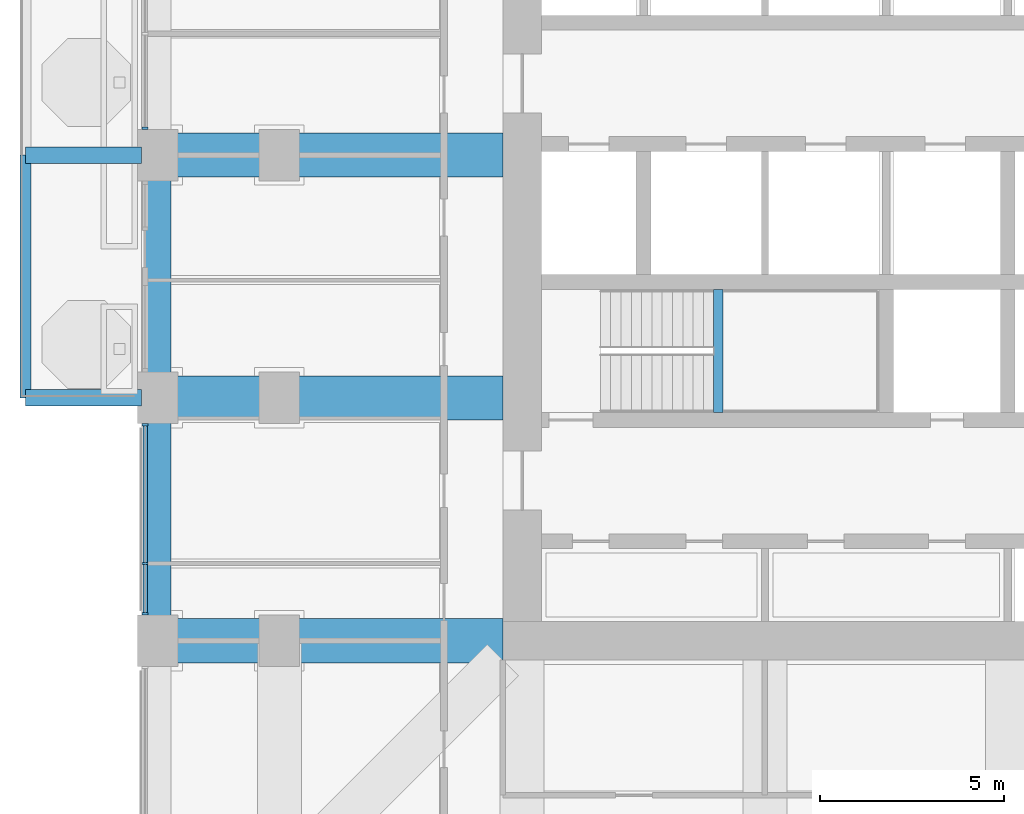
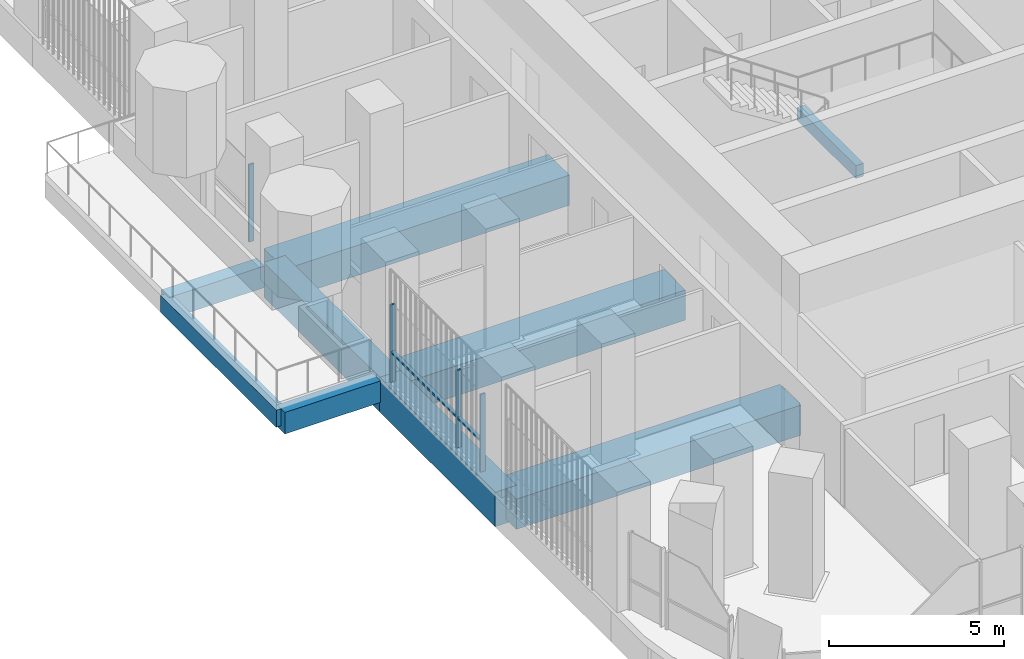
# One storey, part 4 of 22: 9 beams, 6 members, 2 elements without a shape of their own.
"""IFC4 building model written with IfcOpenShell, lengths in metres."""

from ifc_helpers import new_model, si_unit, direction, frame, origin, origin_2d, place, context, subcontext, project, spatial, rectangle, extrude, material, material_profile, profile_set, type_object, element, aggregate, save


model = new_model("IFC4")

# Units and contexts
model_context = context("Model", 3, precision=1e-05, world=origin(), true_north=direction((0.0, 1.0)))
body_context = subcontext(model_context, "Body", "Model", "MODEL_VIEW")
ifc_project = project(units=[si_unit("LENGTHUNIT", "METRE"), si_unit("AREAUNIT", "SQUARE_METRE"), si_unit("VOLUMEUNIT", "CUBIC_METRE"), si_unit("PLANEANGLEUNIT", "RADIAN"), si_unit("MASSUNIT", "GRAM", prefix="KILO")], contexts=[model_context])

# Site, building, storey
site_placement = place(None, origin())
site = spatial("IfcSite", under=ifc_project, at=site_placement, CompositionType="ELEMENT")
building_placement = place(site_placement, origin())
building = spatial("IfcBuilding", under=site, at=building_placement, Name="Cobogo Forest Laboratory Tower", CompositionType="ELEMENT")
storey_placement = place(building_placement, frame((0.0, 0.0, 111.60009765625)))
storey = spatial("IfcBuildingStorey", under=building, at=storey_placement, Name="L25", CompositionType="ELEMENT", Elevation=111.60009765625)

# Beams
ifc_material_1 = material(Name="Concrete HA-40 (C40/50)", Category="concrete")
ifc_material_profile_1 = material_profile(ifc_material_1, rectangle(XDim=0.449951171875, YDim=0.75, at=origin_2d()), Name="RC 450x750")
ifc_profile_set_1 = profile_set([ifc_material_profile_1], Name="Concrete HA-40 (C40/50)")
beam_type_1 = type_object("IfcBeamType", Name="Balcony cantilever beam 450x750", PredefinedType="BEAM", material=ifc_profile_set_1)
for number, where, z_axis, x_axis, name in (
    (1, (2.85009765625, 19.800048828125, -0.625), (-1.0, 0.0, 0.0), (0.0, -1.0, 0.0), "CB1 BAL-W1-C1 L25"),
    (2, (2.85009765625, 26.39990234375, -0.625), (-1.0, 0.0, 0.0), (0.0, -1.0, 0.0), "CB1 BAL-W1-C2 L25"),
):
    element("IfcBeam", number, at=place(storey_placement, frame(where, z_axis=z_axis, x_axis=x_axis)), inside=storey, type_object=beam_type_1, Name=name, PredefinedType="BEAM", context=body_context, shape_type="SweptSolid", body=[
        extrude(rectangle(XDim=0.449951171875, YDim=0.75, at=origin_2d()), origin(), (0.0, 0.0, 1.0), 3.150146484375),
    ])
ifc_material_profile_2 = material_profile(ifc_material_1, rectangle(XDim=0.300048828125, YDim=0.60009765625, at=origin_2d()), Name="RC 300x600")
ifc_profile_set_2 = profile_set([ifc_material_profile_2], Name="Concrete HA-40 (C40/50)")
beam_type_2 = type_object("IfcBeamType", Name="Balcony edge beam 300x600", PredefinedType="BEAM", material=ifc_profile_set_2)
beam_1_placement = place(storey_placement, frame((-0.300048828125, 19.800048828125, -0.550048828125), z_axis=(0.0, 1.0, 0.0), x_axis=(-1.0, 0.0, 0.0)))
element("IfcBeam", 3, at=beam_1_placement, inside=storey, type_object=beam_type_2, Name="BB1 BAL-W1-T1 L25", PredefinedType="BEAM", context=body_context, shape_type="SweptSolid", body=[
    extrude(rectangle(XDim=0.300048828125, YDim=0.60009765625, at=origin_2d()), origin(), (0.0, 0.0, 1.0), 6.599853515625),
])
ifc_material_profile_3 = material_profile(ifc_material_1, rectangle(XDim=0.25, YDim=0.449951171875, at=origin_2d()), Name="RC 250x450")
ifc_profile_set_3 = profile_set([ifc_material_profile_3], Name="Concrete HA-40 (C40/50)")
beam_type_3 = type_object("IfcBeamType", Name="LB1 landing beam 250x450", PredefinedType="BEAM", material=ifc_profile_set_3)
beam_2_placement = place(storey_placement, frame((18.530029296875, 19.39990234375, 1.6748046875), z_axis=(0.0, 1.0, 0.0), x_axis=(-1.0, 0.0, 0.0)))
element("IfcBeam", 4, at=beam_2_placement, inside=storey, type_object=beam_type_3, Name="Landing beam ST1 L25", PredefinedType="BEAM", context=body_context, shape_type="SweptSolid", body=[
    extrude(rectangle(XDim=0.25, YDim=0.449951171875, at=origin_2d()), origin(), (0.0, 0.0, 1.0), 3.35009765625),
])
ifc_material_profile_4 = material_profile(ifc_material_1, rectangle(XDim=1.199951171875, YDim=1.050048828125, at=origin_2d()), Name="RC 1200x1050")
ifc_profile_set_4 = profile_set([ifc_material_profile_4], Name="Concrete HA-40 (C40/50)")
beam_type_4 = type_object("IfcBeamType", Name="Laboratory floor wide beam 1200x1050", PredefinedType="BEAM", material=ifc_profile_set_4)
for number, where, z_axis, x_axis, name in (
    (5, (12.675048828125, 13.199951171875, -0.8251953125), (-1.0, 0.0, 0.0), (0.0, -1.0, 0.0), "RB1 R-C-W L25"),
    (6, (12.675048828125, 19.800048828125, -0.8251953125), (-1.0, 0.0, 0.0), (0.0, -1.0, 0.0), "RB1 R-D-W L25"),
    (7, (12.675048828125, 26.39990234375, -0.8251953125), (-1.0, 0.0, 0.0), (0.0, -1.0, 0.0), "RB1 R-E-W L25"),
):
    element("IfcBeam", number, at=place(storey_placement, frame(where, z_axis=z_axis, x_axis=x_axis)), inside=storey, type_object=beam_type_4, Name=name, PredefinedType="BEAM", context=body_context, shape_type="SweptSolid", body=[
        extrude(rectangle(XDim=1.199951171875, YDim=1.050048828125, at=origin_2d()), origin(), (0.0, 0.0, 1.0), 9.375),
    ])

# Curtain wall, member
ifc_material_2 = material(Name="Aluminium curtain wall", Category="aluminium")
curtain_wall_type = type_object("IfcCurtainWallType", Name="CW-1 unitised curtain wall, clear glazing, laboratory floors zones A and B", PredefinedType="USERDEFINED", material=ifc_material_2)
curtain_wall_1_placement = place(storey_placement, origin())
curtain_wall_1 = element("IfcCurtainWall", 8, at=curtain_wall_1_placement, inside=storey, type_object=curtain_wall_type, Name="Curtain wall 28 L25", ObjectType="UNITISED CURTAIN WALL", PredefinedType="USERDEFINED")
ifc_material_3 = material(Name="Aluminium mullion", Category="aluminium")
ifc_material_profile_5 = material_profile(ifc_material_3, rectangle(XDim=0.06005859375, YDim=0.159912109375, at=origin_2d()), Name="AL 60x160")
ifc_profile_set_5 = profile_set([ifc_material_profile_5], Name="Aluminium mullion")
member_type_1 = type_object("IfcMemberType", Name="MU-1 aluminium mullion 60x160", PredefinedType="MULLION", material=ifc_profile_set_5)
member_1_placement = place(storey_placement, frame((2.949951171875, 27.1298828125, 0.0), z_axis=(0.0, 0.0, 1.0), x_axis=(0.0, -1.0, 0.0)))
member_1 = element("IfcMember", 9, at=member_1_placement, type_object=member_type_1, Name="CW-1 mullion 3", PredefinedType="MULLION", context=body_context, shape_type="SweptSolid", body=[
    extrude(rectangle(XDim=0.06005859375, YDim=0.159912109375, at=origin_2d()), origin(), (0.0, 0.0, 1.0), 2.699951171875),
])
aggregate(curtain_wall_1, [member_1])

# Curtain wall, members
curtain_wall_2_placement = place(storey_placement, origin())
curtain_wall_2 = element("IfcCurtainWall", 10, at=curtain_wall_2_placement, inside=storey, type_object=curtain_wall_type, Name="Curtain wall 30 L25", ObjectType="UNITISED CURTAIN WALL", PredefinedType="USERDEFINED")
member_2_placement = place(storey_placement, frame((2.949951171875, 19.070068359375, 0.0), z_axis=(0.0, 0.0, 1.0), x_axis=(0.0, -1.0, 0.0)))
member_2 = element("IfcMember", 11, at=member_2_placement, type_object=member_type_1, Name="CW-1 mullion 1", PredefinedType="MULLION", context=body_context, shape_type="SweptSolid", body=[
    extrude(rectangle(XDim=0.06005859375, YDim=0.159912109375, at=origin_2d()), origin(), (0.0, 0.0, 1.0), 2.699951171875),
])
member_3_placement = place(storey_placement, frame((2.949951171875, 15.300048828125, 0.0), z_axis=(0.0, 0.0, 1.0), x_axis=(0.0, -1.0, 0.0)))
member_3 = element("IfcMember", 12, at=member_3_placement, type_object=member_type_1, Name="CW-1 mullion 2", PredefinedType="MULLION", context=body_context, shape_type="SweptSolid", body=[
    extrude(rectangle(XDim=0.06005859375, YDim=0.159912109375, at=origin_2d()), origin(), (0.0, 0.0, 1.0), 2.699951171875),
])
member_4_placement = place(storey_placement, frame((2.949951171875, 13.929931640625, 0.0), z_axis=(0.0, 0.0, 1.0), x_axis=(0.0, -1.0, 0.0)))
member_4 = element("IfcMember", 13, at=member_4_placement, type_object=member_type_1, Name="CW-1 mullion 3", PredefinedType="MULLION", context=body_context, shape_type="SweptSolid", body=[
    extrude(rectangle(XDim=0.06005859375, YDim=0.159912109375, at=origin_2d()), origin(), (0.0, 0.0, 1.0), 2.699951171875),
])

# Beams
ifc_material_profile_6 = material_profile(ifc_material_1, rectangle(XDim=0.699951171875, YDim=1.199951171875, at=origin_2d()), Name="RC 700x1200")
ifc_profile_set_6 = profile_set([ifc_material_profile_6], Name="Concrete HA-40 (C40/50)")
beam_type_5 = type_object("IfcBeamType", Name="Perimeter edge beam 700x1200", PredefinedType="BEAM", material=ifc_profile_set_6)
beam_3_placement = place(storey_placement, frame((3.300048828125, 13.199951171875, -0.900146484375), z_axis=(0.0, 1.0, 0.0), x_axis=(-1.0, 0.0, 0.0)))
element("IfcBeam", 14, at=beam_3_placement, inside=storey, type_object=beam_type_5, Name="EB1 E-W2 L25", PredefinedType="BEAM", context=body_context, shape_type="SweptSolid", body=[
    extrude(rectangle(XDim=0.699951171875, YDim=1.199951171875, at=origin_2d()), origin(), (0.0, 0.0, 1.0), 6.60009765625),
])
beam_4_placement = place(storey_placement, frame((3.300048828125, 19.800048828125, -0.900146484375), z_axis=(0.0, 1.0, 0.0), x_axis=(-1.0, 0.0, 0.0)))
element("IfcBeam", 15, at=beam_4_placement, inside=storey, type_object=beam_type_5, Name="EB1 E-W3 L25", PredefinedType="BEAM", context=body_context, shape_type="SweptSolid", body=[
    extrude(rectangle(XDim=0.699951171875, YDim=1.199951171875, at=origin_2d()), origin(), (0.0, 0.0, 1.0), 6.599853515625),
])

# Member
ifc_material_4 = material(Name="Aluminium transom", Category="aluminium")
ifc_material_profile_7 = material_profile(ifc_material_4, rectangle(XDim=0.1201171875, YDim=0.06005859375, at=origin_2d()), Name="AL 60x120")
ifc_profile_set_7 = profile_set([ifc_material_profile_7], Name="Aluminium transom")
member_type_2 = type_object("IfcMemberType", Name="TR-1 aluminium transom 60x120", PredefinedType="USERDEFINED", material=ifc_profile_set_7)
member_5_placement = place(storey_placement, frame((2.949951171875, 19.0400390625, 1.0498046875), z_axis=(0.0, -1.0, 0.0), x_axis=(1.0, 0.0, 0.0)))
member_5 = element("IfcMember", 16, at=member_5_placement, type_object=member_type_2, Name="CW-1 transom 1.1", ObjectType="TRANSOM", PredefinedType="USERDEFINED", context=body_context, shape_type="SweptSolid", body=[
    extrude(rectangle(XDim=0.1201171875, YDim=0.06005859375, at=origin_2d()), origin(), (0.0, 0.0, 1.0), 3.7099609375),
])

member_6_placement = place(storey_placement, frame((2.949951171875, 15.27001953125, 1.0498046875), z_axis=(0.0, -1.0, 0.0), x_axis=(1.0, 0.0, 0.0)))
member_6 = element("IfcMember", 17, at=member_6_placement, type_object=member_type_2, Name="CW-1 transom 2.1", ObjectType="TRANSOM", PredefinedType="USERDEFINED", context=body_context, shape_type="SweptSolid", body=[
    extrude(rectangle(XDim=0.1201171875, YDim=0.06005859375, at=origin_2d()), origin(), (0.0, 0.0, 1.0), 1.31005859375),
])

aggregate(curtain_wall_2, [member_2, member_3, member_4, member_5, member_6])

save(model, "model.ifc")
